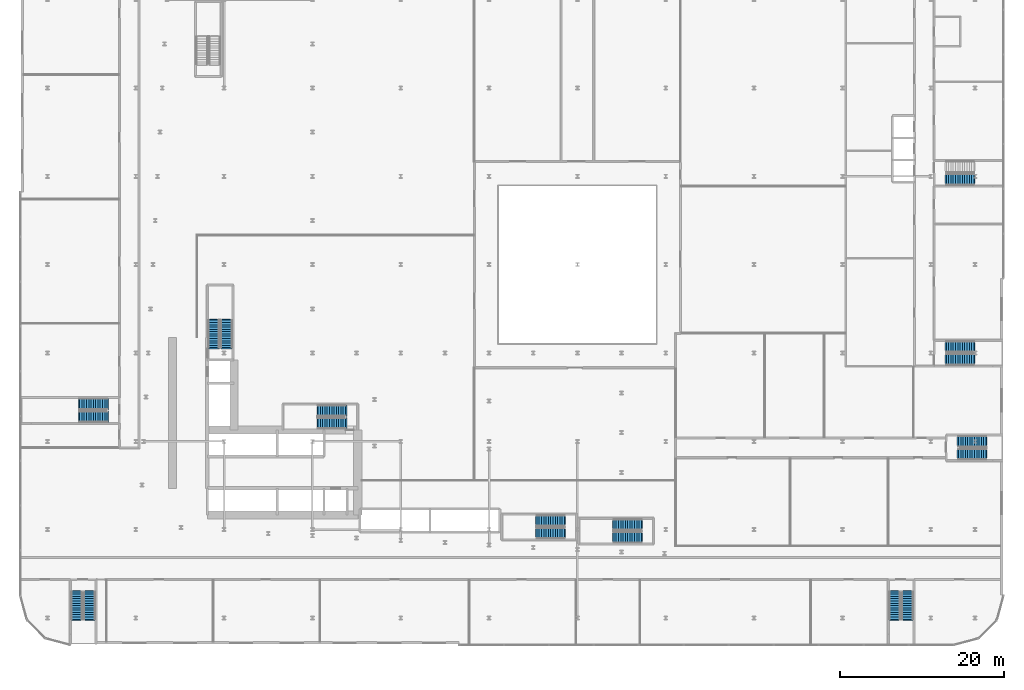
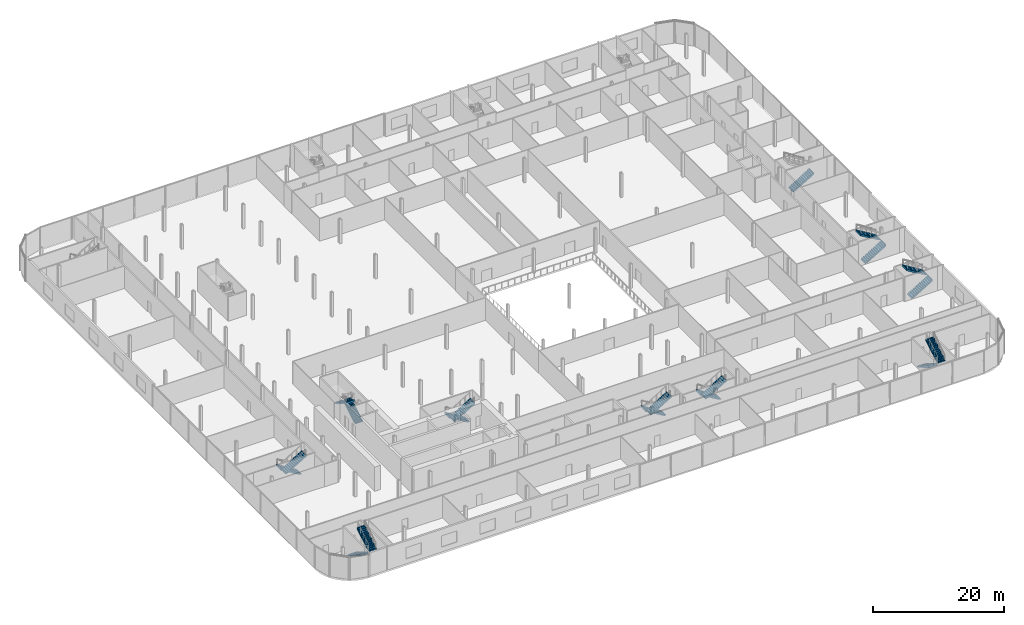
# One storey, part 37 of 47: 19 stair flights, 10 elements without a shape of their own.
"""IFC4 building model written with IfcOpenShell, lengths in metres."""

from ifc_helpers import new_model, si_unit, direction, frame, origin, place, context, subcontext, project, spatial, polyline, outline, extrude, material, layer, layer_set, type_object, element, aggregate, save


model = new_model("IFC4")

# Units and contexts
model_context = context("Model", 3, precision=1e-05, world=origin(), true_north=direction((0.0, 1.0)))
body_context = subcontext(model_context, "Body", "Model", "MODEL_VIEW")
ifc_project = project(units=[si_unit("LENGTHUNIT", "METRE"), si_unit("AREAUNIT", "SQUARE_METRE"), si_unit("VOLUMEUNIT", "CUBIC_METRE"), si_unit("PLANEANGLEUNIT", "RADIAN"), si_unit("MASSUNIT", "GRAM", prefix="KILO")], contexts=[model_context])

# Site, building, storey
site_placement = place(None, origin())
site = spatial("IfcSite", under=ifc_project, at=site_placement, CompositionType="ELEMENT")
building_placement = place(site_placement, origin())
building = spatial("IfcBuilding", under=site, at=building_placement, Name="Kheshtan School and Residences Tower", CompositionType="ELEMENT")
storey_placement = place(building_placement, frame((0.0, 0.0, 17.0)))
storey = spatial("IfcBuildingStorey", under=building, at=storey_placement, Name="L03", CompositionType="ELEMENT", Elevation=17.0)

# Stair, stair flights
ifc_material = material(Name="Concrete C40/50", Category="concrete")
stair_type = type_object("IfcStairType", Name="Exit stair, half-turn", PredefinedType="HALF_TURN_STAIR", material=ifc_material)
stair_1_placement = place(storey_placement, origin())
stair_1 = element("IfcStair", 1, at=stair_1_placement, inside=storey, type_object=stair_type, Name="L03 Protected Exit Stair ST1", PredefinedType="HALF_TURN_STAIR")
ifc_layer = layer(ifc_material, 0.14990234375)
ifc_layer_set = layer_set([ifc_layer], Name="Stair flight 1400 Concrete C40/50")
stair_flight_type = type_object("IfcStairFlightType", Name="Stair flight 1400 Concrete C40/50", PredefinedType="STRAIGHT", material=ifc_layer_set)
stair_flight_1_placement = place(storey_placement, frame((51.64990234375, 38.550048828125, 0.0), z_axis=(0.0, 0.0, 1.0), x_axis=(-1.0, 0.0, 0.0)))
stair_flight_1 = element("IfcStairFlight", 2, at=stair_flight_1_placement, type_object=stair_flight_type, Name="ST1 flight 1", NumberOfRisers=13, NumberOfTreads=12, PredefinedType="STRAIGHT", RiserHeight=0.173076923, TreadLength=0.28, context=body_context, shape_type="SweptSolid", body=[
    extrude(outline(polyline([(-0.14990234375, -0.10009765625), (-0.14990234375, 0.0), (0.0, 0.0), (0.0, 0.173095703125), (0.280029296875, 0.173095703125), (0.280029296875, 0.34619140625), (0.56005859375, 0.34619140625), (0.56005859375, 0.519287109375), (0.840087890625, 0.519287109375), (0.840087890625, 0.6923828125), (1.1201171875, 0.6923828125), (1.1201171875, 0.865478515625), (1.39990234375, 0.865478515625), (1.39990234375, 1.03857421875), (1.679931640625, 1.03857421875), (1.679931640625, 1.21142578125), (1.9599609375, 1.21142578125), (1.9599609375, 1.384521484375), (2.239990234375, 1.384521484375), (2.239990234375, 1.5576171875), (2.52001953125, 1.5576171875), (2.52001953125, 1.730712890625), (2.800048828125, 1.730712890625), (2.800048828125, 1.90380859375), (3.080078125, 1.90380859375), (3.080078125, 2.076904296875), (3.360107421875, 2.076904296875), (3.360107421875, 2.25), (3.360107421875, 2.27001953125), (3.510009765625, 2.27001953125), (3.510009765625, 1.900634765625), (0.28515625, 0.0), (-0.14990234375, -0.10009765625)])), frame((0.0, 0.699951171875, 0.0), z_axis=(0.0, -1.0, 0.0), x_axis=(1.0, 0.0, 0.0)), (0.0, 0.0, 1.0), 1.39990234375),
])
stair_flight_2_placement = place(storey_placement, frame((48.2900390625, 37.0, 2.25), z_axis=(0.0, 0.0, 1.0), x_axis=(1.0, 0.0, 0.0)))
stair_flight_2 = element("IfcStairFlight", 3, at=stair_flight_2_placement, type_object=stair_flight_type, Name="ST1 flight 2", NumberOfRisers=13, NumberOfTreads=12, PredefinedType="STRAIGHT", RiserHeight=0.173076923, TreadLength=0.28, context=body_context, shape_type="SweptSolid", body=[
    extrude(outline(polyline([(-0.14990234375, -0.10009765625), (-0.14990234375, 0.0), (0.0, 0.0), (0.0, 0.173095703125), (0.280029296875, 0.173095703125), (0.280029296875, 0.34619140625), (0.56005859375, 0.34619140625), (0.56005859375, 0.519287109375), (0.840087890625, 0.519287109375), (0.840087890625, 0.6923828125), (1.1201171875, 0.6923828125), (1.1201171875, 0.865478515625), (1.39990234375, 0.865478515625), (1.39990234375, 1.03857421875), (1.679931640625, 1.03857421875), (1.679931640625, 1.21142578125), (1.9599609375, 1.21142578125), (1.9599609375, 1.384521484375), (2.239990234375, 1.384521484375), (2.239990234375, 1.5576171875), (2.52001953125, 1.5576171875), (2.52001953125, 1.730712890625), (2.800048828125, 1.730712890625), (2.800048828125, 1.90380859375), (3.080078125, 1.90380859375), (3.080078125, 2.076904296875), (3.360107421875, 2.076904296875), (3.360107421875, 2.25), (3.360107421875, 2.27001953125), (3.510009765625, 2.27001953125), (3.510009765625, 1.900634765625), (0.28515625, 0.0), (-0.14990234375, -0.10009765625)])), frame((0.0, 0.699951171875, 0.0), z_axis=(0.0, -1.0, 0.0), x_axis=(1.0, 0.0, 0.0)), (0.0, 0.0, 1.0), 1.39990234375),
])
aggregate(stair_1, [stair_flight_1, stair_flight_2])

stair_2_placement = place(storey_placement, origin())
stair_2 = element("IfcStair", 4, at=stair_2_placement, inside=storey, type_object=stair_type, Name="L03 Protected Exit Stair ST2", PredefinedType="HALF_TURN_STAIR")
stair_flight_3_placement = place(storey_placement, frame((37.10009765625, 46.25, 0.0), z_axis=(0.0, 0.0, 1.0), x_axis=(0.0, 1.0, 0.0)))
stair_flight_3 = element("IfcStairFlight", 5, at=stair_flight_3_placement, type_object=stair_flight_type, Name="ST2 flight 1", NumberOfRisers=13, NumberOfTreads=12, PredefinedType="STRAIGHT", RiserHeight=0.173076923, TreadLength=0.28, context=body_context, shape_type="SweptSolid", body=[
    extrude(outline(polyline([(-0.14990234375, -0.10009765625), (-0.14990234375, 0.0), (0.0, 0.0), (0.0, 0.173095703125), (0.280029296875, 0.173095703125), (0.280029296875, 0.34619140625), (0.56005859375, 0.34619140625), (0.56005859375, 0.519287109375), (0.840087890625, 0.519287109375), (0.840087890625, 0.6923828125), (1.1201171875, 0.6923828125), (1.1201171875, 0.865478515625), (1.39990234375, 0.865478515625), (1.39990234375, 1.03857421875), (1.679931640625, 1.03857421875), (1.679931640625, 1.21142578125), (1.9599609375, 1.21142578125), (1.9599609375, 1.384521484375), (2.239990234375, 1.384521484375), (2.239990234375, 1.5576171875), (2.52001953125, 1.5576171875), (2.52001953125, 1.730712890625), (2.800048828125, 1.730712890625), (2.800048828125, 1.90380859375), (3.080078125, 1.90380859375), (3.080078125, 2.076904296875), (3.360107421875, 2.076904296875), (3.360107421875, 2.25), (3.360107421875, 2.27001953125), (3.510009765625, 2.27001953125), (3.510009765625, 1.900634765625), (0.28515625, 0.0), (-0.14990234375, -0.10009765625)])), frame((0.0, 0.699951171875, 0.0), z_axis=(0.0, -1.0, 0.0), x_axis=(1.0, 0.0, 0.0)), (0.0, 0.0, 1.0), 1.39990234375),
])
stair_flight_4_placement = place(storey_placement, frame((35.550048828125, 49.610107421875, 2.25), z_axis=(0.0, 0.0, 1.0), x_axis=(0.0, -1.0, 0.0)))
stair_flight_4 = element("IfcStairFlight", 6, at=stair_flight_4_placement, type_object=stair_flight_type, Name="ST2 flight 2", NumberOfRisers=13, NumberOfTreads=12, PredefinedType="STRAIGHT", RiserHeight=0.173076923, TreadLength=0.28, context=body_context, shape_type="SweptSolid", body=[
    extrude(outline(polyline([(-0.14990234375, -0.10009765625), (-0.14990234375, 0.0), (0.0, 0.0), (0.0, 0.173095703125), (0.280029296875, 0.173095703125), (0.280029296875, 0.34619140625), (0.56005859375, 0.34619140625), (0.56005859375, 0.519287109375), (0.840087890625, 0.519287109375), (0.840087890625, 0.6923828125), (1.1201171875, 0.6923828125), (1.1201171875, 0.865478515625), (1.39990234375, 0.865478515625), (1.39990234375, 1.03857421875), (1.679931640625, 1.03857421875), (1.679931640625, 1.21142578125), (1.9599609375, 1.21142578125), (1.9599609375, 1.384521484375), (2.239990234375, 1.384521484375), (2.239990234375, 1.5576171875), (2.52001953125, 1.5576171875), (2.52001953125, 1.730712890625), (2.800048828125, 1.730712890625), (2.800048828125, 1.90380859375), (3.080078125, 1.90380859375), (3.080078125, 2.076904296875), (3.360107421875, 2.076904296875), (3.360107421875, 2.25), (3.360107421875, 2.27001953125), (3.510009765625, 2.27001953125), (3.510009765625, 1.900634765625), (0.28515625, 0.0), (-0.14990234375, -0.10009765625)])), frame((0.0, 0.699951171875, 0.0), z_axis=(0.0, -1.0, 0.0), x_axis=(1.0, 0.0, 0.0)), (0.0, 0.0, 1.0), 1.39990234375),
])
aggregate(stair_2, [stair_flight_3, stair_flight_4])

stair_3_placement = place(storey_placement, origin())
stair_3 = element("IfcStair", 7, at=stair_3_placement, inside=storey, type_object=stair_type, Name="L03 Protected Exit Stair ST4", PredefinedType="HALF_TURN_STAIR")
stair_flight_5_placement = place(storey_placement, frame((87.820068359375, 24.60009765625, 0.0), z_axis=(0.0, 0.0, 1.0), x_axis=(-1.0, 0.0, 0.0)))
stair_flight_5 = element("IfcStairFlight", 8, at=stair_flight_5_placement, type_object=stair_flight_type, Name="ST4 flight 1", NumberOfRisers=13, NumberOfTreads=12, PredefinedType="STRAIGHT", RiserHeight=0.173076923, TreadLength=0.28, context=body_context, shape_type="SweptSolid", body=[
    extrude(outline(polyline([(-0.14990234375, -0.10009765625), (-0.14990234375, 0.0), (0.0, 0.0), (0.0, 0.173095703125), (0.280029296875, 0.173095703125), (0.280029296875, 0.34619140625), (0.56005859375, 0.34619140625), (0.56005859375, 0.519287109375), (0.840087890625, 0.519287109375), (0.840087890625, 0.6923828125), (1.1201171875, 0.6923828125), (1.1201171875, 0.865478515625), (1.39990234375, 0.865478515625), (1.39990234375, 1.03857421875), (1.679931640625, 1.03857421875), (1.679931640625, 1.21142578125), (1.9599609375, 1.21142578125), (1.9599609375, 1.384521484375), (2.239990234375, 1.384521484375), (2.239990234375, 1.5576171875), (2.52001953125, 1.5576171875), (2.52001953125, 1.730712890625), (2.800048828125, 1.730712890625), (2.800048828125, 1.90380859375), (3.080078125, 1.90380859375), (3.080078125, 2.076904296875), (3.360107421875, 2.076904296875), (3.360107421875, 2.25), (3.360107421875, 2.27001953125), (3.510009765625, 2.27001953125), (3.510009765625, 1.900634765625), (0.28515625, 0.0), (-0.14990234375, -0.10009765625)])), frame((0.0, 0.699951171875, 0.0), z_axis=(0.0, -1.0, 0.0), x_axis=(1.0, 0.0, 0.0)), (0.0, 0.0, 1.0), 1.39990234375),
])
stair_flight_6_placement = place(storey_placement, frame((84.4599609375, 23.050048828125, 2.25), z_axis=(0.0, 0.0, 1.0), x_axis=(1.0, 0.0, 0.0)))
stair_flight_6 = element("IfcStairFlight", 9, at=stair_flight_6_placement, type_object=stair_flight_type, Name="ST4 flight 2", NumberOfRisers=13, NumberOfTreads=12, PredefinedType="STRAIGHT", RiserHeight=0.173076923, TreadLength=0.28, context=body_context, shape_type="SweptSolid", body=[
    extrude(outline(polyline([(-0.14990234375, -0.10009765625), (-0.14990234375, 0.0), (0.0, 0.0), (0.0, 0.173095703125), (0.280029296875, 0.173095703125), (0.280029296875, 0.34619140625), (0.56005859375, 0.34619140625), (0.56005859375, 0.519287109375), (0.840087890625, 0.519287109375), (0.840087890625, 0.6923828125), (1.1201171875, 0.6923828125), (1.1201171875, 0.865478515625), (1.39990234375, 0.865478515625), (1.39990234375, 1.03857421875), (1.679931640625, 1.03857421875), (1.679931640625, 1.21142578125), (1.9599609375, 1.21142578125), (1.9599609375, 1.384521484375), (2.239990234375, 1.384521484375), (2.239990234375, 1.5576171875), (2.52001953125, 1.5576171875), (2.52001953125, 1.730712890625), (2.800048828125, 1.730712890625), (2.800048828125, 1.90380859375), (3.080078125, 1.90380859375), (3.080078125, 2.076904296875), (3.360107421875, 2.076904296875), (3.360107421875, 2.25), (3.360107421875, 2.27001953125), (3.510009765625, 2.27001953125), (3.510009765625, 1.900634765625), (0.28515625, 0.0), (-0.14990234375, -0.10009765625)])), frame((0.0, 0.699951171875, 0.0), z_axis=(0.0, -1.0, 0.0), x_axis=(1.0, 0.0, 0.0)), (0.0, 0.0, 1.0), 1.39990234375),
])
aggregate(stair_3, [stair_flight_5, stair_flight_6])

stair_4_placement = place(storey_placement, origin())
stair_4 = element("IfcStair", 10, at=stair_4_placement, inside=storey, type_object=stair_type, Name="L03 Protected Exit Stair ST5", PredefinedType="HALF_TURN_STAIR")
stair_flight_7_placement = place(storey_placement, frame((78.409912109375, 25.10009765625, 0.0), z_axis=(0.0, 0.0, 1.0), x_axis=(-1.0, 0.0, 0.0)))
stair_flight_7 = element("IfcStairFlight", 11, at=stair_flight_7_placement, type_object=stair_flight_type, Name="ST5 flight 1", NumberOfRisers=13, NumberOfTreads=12, PredefinedType="STRAIGHT", RiserHeight=0.173076923, TreadLength=0.28, context=body_context, shape_type="SweptSolid", body=[
    extrude(outline(polyline([(-0.14990234375, -0.10009765625), (-0.14990234375, 0.0), (0.0, 0.0), (0.0, 0.173095703125), (0.280029296875, 0.173095703125), (0.280029296875, 0.34619140625), (0.56005859375, 0.34619140625), (0.56005859375, 0.519287109375), (0.840087890625, 0.519287109375), (0.840087890625, 0.6923828125), (1.1201171875, 0.6923828125), (1.1201171875, 0.865478515625), (1.39990234375, 0.865478515625), (1.39990234375, 1.03857421875), (1.679931640625, 1.03857421875), (1.679931640625, 1.21142578125), (1.9599609375, 1.21142578125), (1.9599609375, 1.384521484375), (2.239990234375, 1.384521484375), (2.239990234375, 1.5576171875), (2.52001953125, 1.5576171875), (2.52001953125, 1.730712890625), (2.800048828125, 1.730712890625), (2.800048828125, 1.90380859375), (3.080078125, 1.90380859375), (3.080078125, 2.076904296875), (3.360107421875, 2.076904296875), (3.360107421875, 2.25), (3.360107421875, 2.27001953125), (3.510009765625, 2.27001953125), (3.510009765625, 1.900634765625), (0.28515625, 0.0), (-0.14990234375, -0.10009765625)])), frame((0.0, 0.699951171875, 0.0), z_axis=(0.0, -1.0, 0.0), x_axis=(1.0, 0.0, 0.0)), (0.0, 0.0, 1.0), 1.39990234375),
])
stair_flight_8_placement = place(storey_placement, frame((75.050048828125, 23.550048828125, 2.25), z_axis=(0.0, 0.0, 1.0), x_axis=(1.0, 0.0, 0.0)))
stair_flight_8 = element("IfcStairFlight", 12, at=stair_flight_8_placement, type_object=stair_flight_type, Name="ST5 flight 2", NumberOfRisers=13, NumberOfTreads=12, PredefinedType="STRAIGHT", RiserHeight=0.173076923, TreadLength=0.28, context=body_context, shape_type="SweptSolid", body=[
    extrude(outline(polyline([(-0.14990234375, -0.10009765625), (-0.14990234375, 0.0), (0.0, 0.0), (0.0, 0.173095703125), (0.280029296875, 0.173095703125), (0.280029296875, 0.34619140625), (0.56005859375, 0.34619140625), (0.56005859375, 0.519287109375), (0.840087890625, 0.519287109375), (0.840087890625, 0.6923828125), (1.1201171875, 0.6923828125), (1.1201171875, 0.865478515625), (1.39990234375, 0.865478515625), (1.39990234375, 1.03857421875), (1.679931640625, 1.03857421875), (1.679931640625, 1.21142578125), (1.9599609375, 1.21142578125), (1.9599609375, 1.384521484375), (2.239990234375, 1.384521484375), (2.239990234375, 1.5576171875), (2.52001953125, 1.5576171875), (2.52001953125, 1.730712890625), (2.800048828125, 1.730712890625), (2.800048828125, 1.90380859375), (3.080078125, 1.90380859375), (3.080078125, 2.076904296875), (3.360107421875, 2.076904296875), (3.360107421875, 2.25), (3.360107421875, 2.27001953125), (3.510009765625, 2.27001953125), (3.510009765625, 1.900634765625), (0.28515625, 0.0), (-0.14990234375, -0.10009765625)])), frame((0.0, 0.699951171875, 0.0), z_axis=(0.0, -1.0, 0.0), x_axis=(1.0, 0.0, 0.0)), (0.0, 0.0, 1.0), 1.39990234375),
])
aggregate(stair_4, [stair_flight_7, stair_flight_8])

stair_5_placement = place(storey_placement, origin())
stair_5 = element("IfcStair", 13, at=stair_5_placement, inside=storey, type_object=stair_type, Name="L03 Civic Exit Stair 012-037", PredefinedType="HALF_TURN_STAIR")
stair_flight_9_placement = place(storey_placement, frame((22.5, 39.35009765625, 0.0), z_axis=(0.0, 0.0, 1.0), x_axis=(-1.0, 0.0, 0.0)))
stair_flight_9 = element("IfcStairFlight", 14, at=stair_flight_9_placement, type_object=stair_flight_type, Name="PS-012-037 flight 1", NumberOfRisers=13, NumberOfTreads=12, PredefinedType="STRAIGHT", RiserHeight=0.173076923, TreadLength=0.28, context=body_context, shape_type="SweptSolid", body=[
    extrude(outline(polyline([(-0.14990234375, -0.10009765625), (-0.14990234375, 0.0), (0.0, 0.0), (0.0, 0.173095703125), (0.280029296875, 0.173095703125), (0.280029296875, 0.34619140625), (0.56005859375, 0.34619140625), (0.56005859375, 0.519287109375), (0.840087890625, 0.519287109375), (0.840087890625, 0.6923828125), (1.1201171875, 0.6923828125), (1.1201171875, 0.865478515625), (1.39990234375, 0.865478515625), (1.39990234375, 1.03857421875), (1.679931640625, 1.03857421875), (1.679931640625, 1.21142578125), (1.9599609375, 1.21142578125), (1.9599609375, 1.384521484375), (2.239990234375, 1.384521484375), (2.239990234375, 1.5576171875), (2.52001953125, 1.5576171875), (2.52001953125, 1.730712890625), (2.800048828125, 1.730712890625), (2.800048828125, 1.90380859375), (3.080078125, 1.90380859375), (3.080078125, 2.076904296875), (3.360107421875, 2.076904296875), (3.360107421875, 2.25), (3.360107421875, 2.27001953125), (3.510009765625, 2.27001953125), (3.510009765625, 1.900634765625), (0.28515625, 0.0), (-0.14990234375, -0.10009765625)])), frame((0.0, 0.699951171875, 0.0), z_axis=(0.0, -1.0, 0.0), x_axis=(1.0, 0.0, 0.0)), (0.0, 0.0, 1.0), 1.39990234375),
])
stair_flight_10_placement = place(storey_placement, frame((19.139892578125, 37.800048828125, 2.25), z_axis=(0.0, 0.0, 1.0), x_axis=(1.0, 0.0, 0.0)))
stair_flight_10 = element("IfcStairFlight", 15, at=stair_flight_10_placement, type_object=stair_flight_type, Name="PS-012-037 flight 2", NumberOfRisers=13, NumberOfTreads=12, PredefinedType="STRAIGHT", RiserHeight=0.173076923, TreadLength=0.28, context=body_context, shape_type="SweptSolid", body=[
    extrude(outline(polyline([(-0.14990234375, -0.10009765625), (-0.14990234375, 0.0), (0.0, 0.0), (0.0, 0.173095703125), (0.280029296875, 0.173095703125), (0.280029296875, 0.34619140625), (0.56005859375, 0.34619140625), (0.56005859375, 0.519287109375), (0.840087890625, 0.519287109375), (0.840087890625, 0.6923828125), (1.1201171875, 0.6923828125), (1.1201171875, 0.865478515625), (1.39990234375, 0.865478515625), (1.39990234375, 1.03857421875), (1.679931640625, 1.03857421875), (1.679931640625, 1.21142578125), (1.9599609375, 1.21142578125), (1.9599609375, 1.384521484375), (2.239990234375, 1.384521484375), (2.239990234375, 1.5576171875), (2.52001953125, 1.5576171875), (2.52001953125, 1.730712890625), (2.800048828125, 1.730712890625), (2.800048828125, 1.90380859375), (3.080078125, 1.90380859375), (3.080078125, 2.076904296875), (3.360107421875, 2.076904296875), (3.360107421875, 2.25), (3.360107421875, 2.27001953125), (3.510009765625, 2.27001953125), (3.510009765625, 1.900634765625), (0.28515625, 0.0), (-0.14990234375, -0.10009765625)])), frame((0.0, 0.699951171875, 0.0), z_axis=(0.0, -1.0, 0.0), x_axis=(1.0, 0.0, 0.0)), (0.0, 0.0, 1.0), 1.39990234375),
])
aggregate(stair_5, [stair_flight_9, stair_flight_10])

stair_6_placement = place(storey_placement, origin())
stair_6 = element("IfcStair", 16, at=stair_6_placement, inside=storey, type_object=stair_type, Name="L03 Civic Exit Stair 018-010", PredefinedType="HALF_TURN_STAIR")
stair_flight_11_placement = place(storey_placement, frame((18.800048828125, 16.39990234375, 0.0), z_axis=(0.0, 0.0, 1.0), x_axis=(0.0, -1.0, 0.0)))
stair_flight_11 = element("IfcStairFlight", 17, at=stair_flight_11_placement, type_object=stair_flight_type, Name="PS-018-010 flight 1", NumberOfRisers=13, NumberOfTreads=12, PredefinedType="STRAIGHT", RiserHeight=0.173076923, TreadLength=0.28, context=body_context, shape_type="SweptSolid", body=[
    extrude(outline(polyline([(-0.14990234375, -0.10009765625), (-0.14990234375, 0.0), (0.0, 0.0), (0.0, 0.173095703125), (0.280029296875, 0.173095703125), (0.280029296875, 0.34619140625), (0.56005859375, 0.34619140625), (0.56005859375, 0.519287109375), (0.840087890625, 0.519287109375), (0.840087890625, 0.6923828125), (1.1201171875, 0.6923828125), (1.1201171875, 0.865478515625), (1.39990234375, 0.865478515625), (1.39990234375, 1.03857421875), (1.679931640625, 1.03857421875), (1.679931640625, 1.21142578125), (1.9599609375, 1.21142578125), (1.9599609375, 1.384521484375), (2.239990234375, 1.384521484375), (2.239990234375, 1.5576171875), (2.52001953125, 1.5576171875), (2.52001953125, 1.730712890625), (2.800048828125, 1.730712890625), (2.800048828125, 1.90380859375), (3.080078125, 1.90380859375), (3.080078125, 2.076904296875), (3.360107421875, 2.076904296875), (3.360107421875, 2.25), (3.360107421875, 2.27001953125), (3.510009765625, 2.27001953125), (3.510009765625, 1.900634765625), (0.28515625, 0.0), (-0.14990234375, -0.10009765625)])), frame((0.0, 0.699951171875, 0.0), z_axis=(0.0, -1.0, 0.0), x_axis=(1.0, 0.0, 0.0)), (0.0, 0.0, 1.0), 1.39990234375),
])
stair_flight_12_placement = place(storey_placement, frame((20.35009765625, 13.0400390625, 2.25), z_axis=(0.0, 0.0, 1.0), x_axis=(0.0, 1.0, 0.0)))
stair_flight_12 = element("IfcStairFlight", 18, at=stair_flight_12_placement, type_object=stair_flight_type, Name="PS-018-010 flight 2", NumberOfRisers=13, NumberOfTreads=12, PredefinedType="STRAIGHT", RiserHeight=0.173076923, TreadLength=0.28, context=body_context, shape_type="SweptSolid", body=[
    extrude(outline(polyline([(-0.14990234375, -0.10009765625), (-0.14990234375, 0.0), (0.0, 0.0), (0.0, 0.173095703125), (0.280029296875, 0.173095703125), (0.280029296875, 0.34619140625), (0.56005859375, 0.34619140625), (0.56005859375, 0.519287109375), (0.840087890625, 0.519287109375), (0.840087890625, 0.6923828125), (1.1201171875, 0.6923828125), (1.1201171875, 0.865478515625), (1.39990234375, 0.865478515625), (1.39990234375, 1.03857421875), (1.679931640625, 1.03857421875), (1.679931640625, 1.21142578125), (1.9599609375, 1.21142578125), (1.9599609375, 1.384521484375), (2.239990234375, 1.384521484375), (2.239990234375, 1.5576171875), (2.52001953125, 1.5576171875), (2.52001953125, 1.730712890625), (2.800048828125, 1.730712890625), (2.800048828125, 1.90380859375), (3.080078125, 1.90380859375), (3.080078125, 2.076904296875), (3.360107421875, 2.076904296875), (3.360107421875, 2.25), (3.360107421875, 2.27001953125), (3.510009765625, 2.27001953125), (3.510009765625, 1.900634765625), (0.28515625, 0.0), (-0.14990234375, -0.10009765625)])), frame((0.0, 0.699951171875, 0.0), z_axis=(0.0, -1.0, 0.0), x_axis=(1.0, 0.0, 0.0)), (0.0, 0.0, 1.0), 1.39990234375),
])
aggregate(stair_6, [stair_flight_11, stair_flight_12])

stair_7_placement = place(storey_placement, origin())
stair_7 = element("IfcStair", 19, at=stair_7_placement, inside=storey, type_object=stair_type, Name="L03 Civic Exit Stair 118-010", PredefinedType="HALF_TURN_STAIR")
stair_flight_13_placement = place(storey_placement, frame((118.800048828125, 16.39990234375, 0.0), z_axis=(0.0, 0.0, 1.0), x_axis=(0.0, -1.0, 0.0)))
stair_flight_13 = element("IfcStairFlight", 20, at=stair_flight_13_placement, type_object=stair_flight_type, Name="PS-118-010 flight 1", NumberOfRisers=13, NumberOfTreads=12, PredefinedType="STRAIGHT", RiserHeight=0.173076923, TreadLength=0.28, context=body_context, shape_type="SweptSolid", body=[
    extrude(outline(polyline([(-0.14990234375, -0.10009765625), (-0.14990234375, 0.0), (0.0, 0.0), (0.0, 0.173095703125), (0.280029296875, 0.173095703125), (0.280029296875, 0.34619140625), (0.56005859375, 0.34619140625), (0.56005859375, 0.519287109375), (0.840087890625, 0.519287109375), (0.840087890625, 0.6923828125), (1.1201171875, 0.6923828125), (1.1201171875, 0.865478515625), (1.39990234375, 0.865478515625), (1.39990234375, 1.03857421875), (1.679931640625, 1.03857421875), (1.679931640625, 1.21142578125), (1.9599609375, 1.21142578125), (1.9599609375, 1.384521484375), (2.239990234375, 1.384521484375), (2.239990234375, 1.5576171875), (2.52001953125, 1.5576171875), (2.52001953125, 1.730712890625), (2.800048828125, 1.730712890625), (2.800048828125, 1.90380859375), (3.080078125, 1.90380859375), (3.080078125, 2.076904296875), (3.360107421875, 2.076904296875), (3.360107421875, 2.25), (3.360107421875, 2.27001953125), (3.510009765625, 2.27001953125), (3.510009765625, 1.900634765625), (0.28515625, 0.0), (-0.14990234375, -0.10009765625)])), frame((0.0, 0.699951171875, 0.0), z_axis=(0.0, -1.0, 0.0), x_axis=(1.0, 0.0, 0.0)), (0.0, 0.0, 1.0), 1.39990234375),
])
stair_flight_14_placement = place(storey_placement, frame((120.35009765625, 13.0400390625, 2.25), z_axis=(0.0, 0.0, 1.0), x_axis=(0.0, 1.0, 0.0)))
stair_flight_14 = element("IfcStairFlight", 21, at=stair_flight_14_placement, type_object=stair_flight_type, Name="PS-118-010 flight 2", NumberOfRisers=13, NumberOfTreads=12, PredefinedType="STRAIGHT", RiserHeight=0.173076923, TreadLength=0.28, context=body_context, shape_type="SweptSolid", body=[
    extrude(outline(polyline([(-0.14990234375, -0.10009765625), (-0.14990234375, 0.0), (0.0, 0.0), (0.0, 0.173095703125), (0.280029296875, 0.173095703125), (0.280029296875, 0.34619140625), (0.56005859375, 0.34619140625), (0.56005859375, 0.519287109375), (0.840087890625, 0.519287109375), (0.840087890625, 0.6923828125), (1.1201171875, 0.6923828125), (1.1201171875, 0.865478515625), (1.39990234375, 0.865478515625), (1.39990234375, 1.03857421875), (1.679931640625, 1.03857421875), (1.679931640625, 1.21142578125), (1.9599609375, 1.21142578125), (1.9599609375, 1.384521484375), (2.239990234375, 1.384521484375), (2.239990234375, 1.5576171875), (2.52001953125, 1.5576171875), (2.52001953125, 1.730712890625), (2.800048828125, 1.730712890625), (2.800048828125, 1.90380859375), (3.080078125, 1.90380859375), (3.080078125, 2.076904296875), (3.360107421875, 2.076904296875), (3.360107421875, 2.25), (3.360107421875, 2.27001953125), (3.510009765625, 2.27001953125), (3.510009765625, 1.900634765625), (0.28515625, 0.0), (-0.14990234375, -0.10009765625)])), frame((0.0, 0.699951171875, 0.0), z_axis=(0.0, -1.0, 0.0), x_axis=(1.0, 0.0, 0.0)), (0.0, 0.0, 1.0), 1.39990234375),
])
aggregate(stair_7, [stair_flight_13, stair_flight_14])

stair_8_placement = place(storey_placement, origin())
stair_8 = element("IfcStair", 22, at=stair_8_placement, inside=storey, type_object=stair_type, Name="L03 School Exit Stair 124-044", PredefinedType="HALF_TURN_STAIR")
stair_flight_15_placement = place(storey_placement, frame((125.10009765625, 44.800048828125, 0.0), z_axis=(0.0, 0.0, 1.0), x_axis=(1.0, 0.0, 0.0)))
stair_flight_15 = element("IfcStairFlight", 23, at=stair_flight_15_placement, type_object=stair_flight_type, Name="PS-124-044 flight 1", NumberOfRisers=13, NumberOfTreads=12, PredefinedType="STRAIGHT", RiserHeight=0.173076923, TreadLength=0.28, context=body_context, shape_type="SweptSolid", body=[
    extrude(outline(polyline([(-0.14990234375, -0.10009765625), (-0.14990234375, 0.0), (0.0, 0.0), (0.0, 0.173095703125), (0.280029296875, 0.173095703125), (0.280029296875, 0.34619140625), (0.56005859375, 0.34619140625), (0.56005859375, 0.519287109375), (0.840087890625, 0.519287109375), (0.840087890625, 0.6923828125), (1.1201171875, 0.6923828125), (1.1201171875, 0.865478515625), (1.39990234375, 0.865478515625), (1.39990234375, 1.03857421875), (1.679931640625, 1.03857421875), (1.679931640625, 1.21142578125), (1.9599609375, 1.21142578125), (1.9599609375, 1.384521484375), (2.239990234375, 1.384521484375), (2.239990234375, 1.5576171875), (2.52001953125, 1.5576171875), (2.52001953125, 1.730712890625), (2.800048828125, 1.730712890625), (2.800048828125, 1.90380859375), (3.080078125, 1.90380859375), (3.080078125, 2.076904296875), (3.360107421875, 2.076904296875), (3.360107421875, 2.25), (3.360107421875, 2.27001953125), (3.510009765625, 2.27001953125), (3.510009765625, 1.900634765625), (0.28515625, 0.0), (-0.14990234375, -0.10009765625)])), frame((0.0, 0.699951171875, 0.0), z_axis=(0.0, -1.0, 0.0), x_axis=(1.0, 0.0, 0.0)), (0.0, 0.0, 1.0), 1.39990234375),
])
stair_flight_16_placement = place(storey_placement, frame((128.4599609375, 46.35009765625, 2.25), z_axis=(0.0, 0.0, 1.0), x_axis=(-1.0, 0.0, 0.0)))
stair_flight_16 = element("IfcStairFlight", 24, at=stair_flight_16_placement, type_object=stair_flight_type, Name="PS-124-044 flight 2", NumberOfRisers=13, NumberOfTreads=12, PredefinedType="STRAIGHT", RiserHeight=0.173076923, TreadLength=0.28, context=body_context, shape_type="SweptSolid", body=[
    extrude(outline(polyline([(-0.14990234375, -0.10009765625), (-0.14990234375, 0.0), (0.0, 0.0), (0.0, 0.173095703125), (0.280029296875, 0.173095703125), (0.280029296875, 0.34619140625), (0.56005859375, 0.34619140625), (0.56005859375, 0.519287109375), (0.840087890625, 0.519287109375), (0.840087890625, 0.6923828125), (1.1201171875, 0.6923828125), (1.1201171875, 0.865478515625), (1.39990234375, 0.865478515625), (1.39990234375, 1.03857421875), (1.679931640625, 1.03857421875), (1.679931640625, 1.21142578125), (1.9599609375, 1.21142578125), (1.9599609375, 1.384521484375), (2.239990234375, 1.384521484375), (2.239990234375, 1.5576171875), (2.52001953125, 1.5576171875), (2.52001953125, 1.730712890625), (2.800048828125, 1.730712890625), (2.800048828125, 1.90380859375), (3.080078125, 1.90380859375), (3.080078125, 2.076904296875), (3.360107421875, 2.076904296875), (3.360107421875, 2.25), (3.360107421875, 2.27001953125), (3.510009765625, 2.27001953125), (3.510009765625, 1.900634765625), (0.28515625, 0.0), (-0.14990234375, -0.10009765625)])), frame((0.0, 0.699951171875, 0.0), z_axis=(0.0, -1.0, 0.0), x_axis=(1.0, 0.0, 0.0)), (0.0, 0.0, 1.0), 1.39990234375),
])
aggregate(stair_8, [stair_flight_15, stair_flight_16])

# Stair, stair flight
stair_9_placement = place(storey_placement, origin())
stair_9 = element("IfcStair", 25, at=stair_9_placement, inside=storey, type_object=stair_type, Name="L03 School Exit Stair 124-066", PredefinedType="HALF_TURN_STAIR")
stair_flight_17_placement = place(storey_placement, frame((125.10009765625, 66.800048828125, 0.0), z_axis=(0.0, 0.0, 1.0), x_axis=(1.0, 0.0, 0.0)))
stair_flight_17 = element("IfcStairFlight", 26, at=stair_flight_17_placement, type_object=stair_flight_type, Name="PS-124-066 flight 1", NumberOfRisers=13, NumberOfTreads=12, PredefinedType="STRAIGHT", RiserHeight=0.173076923, TreadLength=0.28, context=body_context, shape_type="SweptSolid", body=[
    extrude(outline(polyline([(-0.14990234375, -0.10009765625), (-0.14990234375, 0.0), (0.0, 0.0), (0.0, 0.173095703125), (0.280029296875, 0.173095703125), (0.280029296875, 0.34619140625), (0.56005859375, 0.34619140625), (0.56005859375, 0.519287109375), (0.840087890625, 0.519287109375), (0.840087890625, 0.6923828125), (1.1201171875, 0.6923828125), (1.1201171875, 0.865478515625), (1.39990234375, 0.865478515625), (1.39990234375, 1.03857421875), (1.679931640625, 1.03857421875), (1.679931640625, 1.21142578125), (1.9599609375, 1.21142578125), (1.9599609375, 1.384521484375), (2.239990234375, 1.384521484375), (2.239990234375, 1.5576171875), (2.52001953125, 1.5576171875), (2.52001953125, 1.730712890625), (2.800048828125, 1.730712890625), (2.800048828125, 1.90380859375), (3.080078125, 1.90380859375), (3.080078125, 2.076904296875), (3.360107421875, 2.076904296875), (3.360107421875, 2.25), (3.360107421875, 2.27001953125), (3.510009765625, 2.27001953125), (3.510009765625, 1.900634765625), (0.28515625, 0.0), (-0.14990234375, -0.10009765625)])), frame((0.0, 0.699951171875, 0.0), z_axis=(0.0, -1.0, 0.0), x_axis=(1.0, 0.0, 0.0)), (0.0, 0.0, 1.0), 1.39990234375),
])
aggregate(stair_9, [stair_flight_17])

# Stair, stair flights
stair_10_placement = place(storey_placement, origin())
stair_10 = element("IfcStair", 27, at=stair_10_placement, inside=storey, type_object=stair_type, Name="L03 Civic Exit Stair 125-032", PredefinedType="HALF_TURN_STAIR")
stair_flight_18_placement = place(storey_placement, frame((126.580078125, 33.22509765625, 0.0), z_axis=(0.0, 0.0, 1.0), x_axis=(1.0, 0.0, 0.0)))
stair_flight_18 = element("IfcStairFlight", 28, at=stair_flight_18_placement, type_object=stair_flight_type, Name="PS-125-032 flight 1", NumberOfRisers=13, NumberOfTreads=12, PredefinedType="STRAIGHT", RiserHeight=0.173076923, TreadLength=0.28, context=body_context, shape_type="SweptSolid", body=[
    extrude(outline(polyline([(-0.14990234375, -0.10009765625), (-0.14990234375, 0.0), (0.0, 0.0), (0.0, 0.173095703125), (0.280029296875, 0.173095703125), (0.280029296875, 0.34619140625), (0.56005859375, 0.34619140625), (0.56005859375, 0.519287109375), (0.840087890625, 0.519287109375), (0.840087890625, 0.6923828125), (1.1201171875, 0.6923828125), (1.1201171875, 0.865478515625), (1.39990234375, 0.865478515625), (1.39990234375, 1.03857421875), (1.679931640625, 1.03857421875), (1.679931640625, 1.21142578125), (1.9599609375, 1.21142578125), (1.9599609375, 1.384521484375), (2.239990234375, 1.384521484375), (2.239990234375, 1.5576171875), (2.52001953125, 1.5576171875), (2.52001953125, 1.730712890625), (2.800048828125, 1.730712890625), (2.800048828125, 1.90380859375), (3.080078125, 1.90380859375), (3.080078125, 2.076904296875), (3.360107421875, 2.076904296875), (3.360107421875, 2.25), (3.360107421875, 2.27001953125), (3.510009765625, 2.27001953125), (3.510009765625, 1.900634765625), (0.28515625, 0.0), (-0.14990234375, -0.10009765625)])), frame((0.0, 0.699951171875, 0.0), z_axis=(0.0, -1.0, 0.0), x_axis=(1.0, 0.0, 0.0)), (0.0, 0.0, 1.0), 1.39990234375),
])
stair_flight_19_placement = place(storey_placement, frame((129.93994140625, 34.77490234375, 2.25), z_axis=(0.0, 0.0, 1.0), x_axis=(-1.0, 0.0, 0.0)))
stair_flight_19 = element("IfcStairFlight", 29, at=stair_flight_19_placement, type_object=stair_flight_type, Name="PS-125-032 flight 2", NumberOfRisers=13, NumberOfTreads=12, PredefinedType="STRAIGHT", RiserHeight=0.173076923, TreadLength=0.28, context=body_context, shape_type="SweptSolid", body=[
    extrude(outline(polyline([(-0.14990234375, -0.10009765625), (-0.14990234375, 0.0), (0.0, 0.0), (0.0, 0.173095703125), (0.280029296875, 0.173095703125), (0.280029296875, 0.34619140625), (0.56005859375, 0.34619140625), (0.56005859375, 0.519287109375), (0.840087890625, 0.519287109375), (0.840087890625, 0.6923828125), (1.1201171875, 0.6923828125), (1.1201171875, 0.865478515625), (1.39990234375, 0.865478515625), (1.39990234375, 1.03857421875), (1.679931640625, 1.03857421875), (1.679931640625, 1.21142578125), (1.9599609375, 1.21142578125), (1.9599609375, 1.384521484375), (2.239990234375, 1.384521484375), (2.239990234375, 1.5576171875), (2.52001953125, 1.5576171875), (2.52001953125, 1.730712890625), (2.800048828125, 1.730712890625), (2.800048828125, 1.90380859375), (3.080078125, 1.90380859375), (3.080078125, 2.076904296875), (3.360107421875, 2.076904296875), (3.360107421875, 2.25), (3.360107421875, 2.27001953125), (3.510009765625, 2.27001953125), (3.510009765625, 1.900634765625), (0.28515625, 0.0), (-0.14990234375, -0.10009765625)])), frame((0.0, 0.699951171875, 0.0), z_axis=(0.0, -1.0, 0.0), x_axis=(1.0, 0.0, 0.0)), (0.0, 0.0, 1.0), 1.39990234375),
])
aggregate(stair_10, [stair_flight_18, stair_flight_19])

save(model, "model.ifc")
